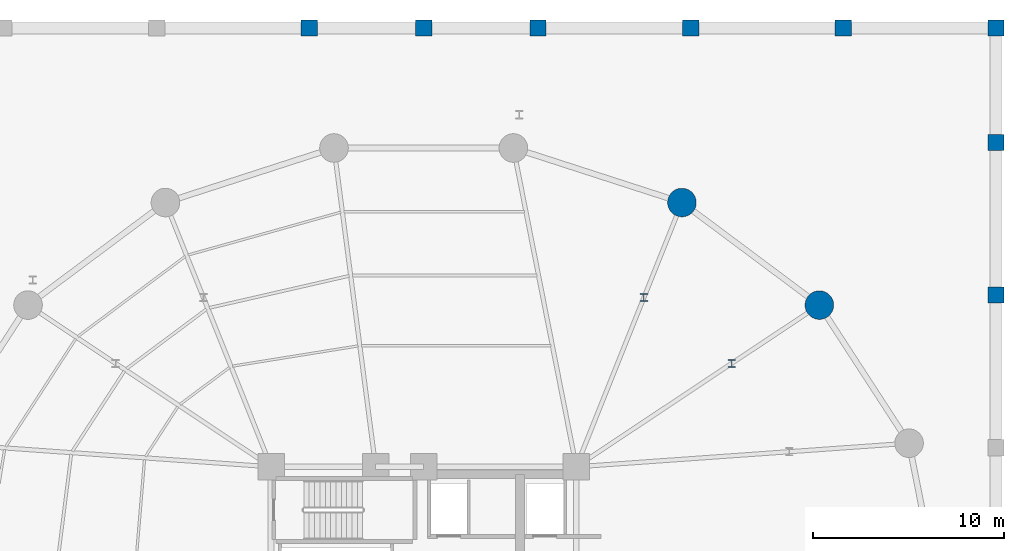
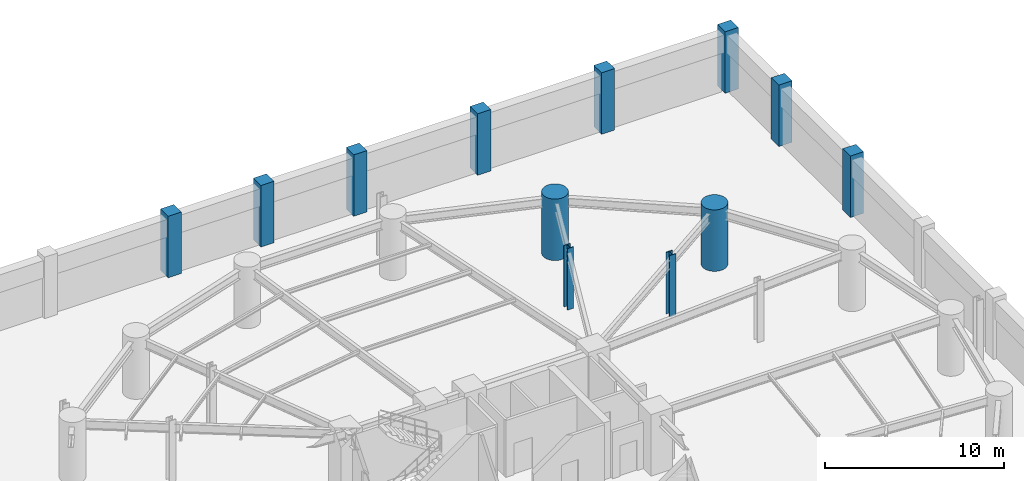
# One storey, part 4 of 20: 12 columns.
"""IFC4 building model written with IfcOpenShell, lengths in metres."""

from ifc_helpers import new_model, si_unit, direction, frame, origin, origin_2d, place, context, subcontext, project, spatial, rectangle, circle, i_section, extrude, material, material_profile, profile_set, type_object, element, save


model = new_model("IFC4")

# Units and contexts
model_context = context("Model", 3, precision=1e-05, world=origin(), true_north=direction((0.0, 1.0)))
body_context = subcontext(model_context, "Body", "Model", "MODEL_VIEW")
ifc_project = project(units=[si_unit("LENGTHUNIT", "METRE"), si_unit("AREAUNIT", "SQUARE_METRE"), si_unit("VOLUMEUNIT", "CUBIC_METRE"), si_unit("PLANEANGLEUNIT", "RADIAN"), si_unit("MASSUNIT", "GRAM", prefix="KILO")], contexts=[model_context])

# Site, building, storey
site_placement = place(None, origin())
site = spatial("IfcSite", under=ifc_project, at=site_placement, CompositionType="ELEMENT")
building_placement = place(site_placement, origin())
building = spatial("IfcBuilding", under=site, at=building_placement, Name="Kelanora Arch Commons", CompositionType="ELEMENT")
storey_placement = place(building_placement, frame((0.0, 0.0, -4.199951171875)))
storey = spatial("IfcBuildingStorey", under=building, at=storey_placement, Name="B01", CompositionType="ELEMENT", Elevation=-4.199951171875)

# Columns
ifc_material_1 = material(Name="Concrete C50/60", Category="concrete")
ifc_material_profile_1 = material_profile(ifc_material_1, rectangle(XDim=0.85009765625, YDim=0.85009765625, at=origin_2d()), Name="RC850x850")
ifc_profile_set_1 = profile_set([ifc_material_profile_1], Name="Concrete C50/60")
column_type_1 = type_object("IfcColumnType", Name="COL-BSMT", PredefinedType="COLUMN", material=ifc_profile_set_1)
for number, where, z_axis, x_axis, name in (
    (1, (68.0, 88.0, 0.0), (0.0, 0.0, 1.0), (1.0, 0.0, 0.0), "Basement Column 9-M B01"),
    (2, (74.0, 88.0, 0.0), (0.0, 0.0, 1.0), (1.0, 0.0, 0.0), "Basement Column 10-M B01"),
    (3, (80.0, 88.0, 0.0), (0.0, 0.0, 1.0), (1.0, 0.0, 0.0), "Basement Column 11-M B01"),
    (4, (88.0, 88.0, 0.0), (0.0, 0.0, 1.0), (1.0, 0.0, 0.0), "Basement Column 12-M B01"),
    (5, (96.0, 88.0, 0.0), (0.0, 0.0, 1.0), (1.0, 0.0, 0.0), "Basement Column 13-M B01"),
    (6, (104.0, 74.0, 0.0), (0.0, 0.0, 1.0), (1.0, 0.0, 0.0), "Basement Column 14-K B01"),
    (7, (104.0, 82.0, 0.0), (0.0, 0.0, 1.0), (1.0, 0.0, 0.0), "Basement Column 14-L B01"),
    (8, (104.0, 88.0, 0.0), (0.0, 0.0, 1.0), (1.0, 0.0, 0.0), "Basement Column 14-M B01"),
):
    element("IfcColumn", number, at=place(storey_placement, frame(where, z_axis=z_axis, x_axis=x_axis)), inside=storey, type_object=column_type_1, Name=name, PredefinedType="COLUMN", context=body_context, shape_type="SweptSolid", body=[
        extrude(rectangle(XDim=0.85009765625, YDim=0.85009765625, at=origin_2d()), origin(), (0.0, 0.0, 1.0), 4.199951171875),
    ])
ifc_material_2 = material(Name="Concrete C60/75", Category="concrete")
ifc_material_profile_2 = material_profile(ifc_material_2, circle(Radius=0.75, at=origin_2d()), Name="RCC1500")
ifc_profile_set_2 = profile_set([ifc_material_profile_2], Name="Concrete C60/75")
column_type_2 = type_object("IfcColumnType", Name="COL-PERIM-Z1", PredefinedType="COLUMN", material=ifc_profile_set_2)
for number, where, z_axis, x_axis, name in (
    (9, (94.744384765625, 73.478271484375, 0.0), (0.0, 0.0, 1.0), (1.0, 0.0, 0.0), "Perimeter Ring Column CP-04 B01"),
    (10, (87.5400390625, 78.85400390625, 0.0), (0.0, 0.0, 1.0), (1.0, 0.0, 0.0), "Perimeter Ring Column CP-06 B01"),
):
    element("IfcColumn", number, at=place(storey_placement, frame(where, z_axis=z_axis, x_axis=x_axis)), inside=storey, type_object=column_type_2, Name=name, PredefinedType="COLUMN", context=body_context, shape_type="SweptSolid", body=[
        extrude(circle(Radius=0.75, at=origin_2d()), origin(), (0.0, 0.0, 1.0), 4.199951171875),
    ])
ifc_material_3 = material(Name="Steel S355", Category="steel")
ifc_material_profile_3 = material_profile(ifc_material_3, i_section(OverallWidth=0.406005859375, OverallDepth=0.416015625, WebThickness=0.029052734375, FlangeThickness=0.048095703125, FilletRadius=0.014892578125, at=origin_2d()), Name="HD400x382")
ifc_profile_set_3 = profile_set([ifc_material_profile_3], Name="Steel S355")
column_type_3 = type_object("IfcColumnType", Name="COL-PORCH", PredefinedType="COLUMN", material=ifc_profile_set_3)
for number, where, z_axis, x_axis, name in (
    (11, (90.156494140625, 70.426025390625, 0.0), (0.0, 0.0, 1.0), (1.0, 0.0, 0.0), "Recessed Arch Portal Column CAP-04 B01"),
    (12, (85.545654296875, 73.866455078125, 0.0), (0.0, 0.0, 1.0), (1.0, 0.0, 0.0), "Recessed Arch Portal Column CAP-06 B01"),
):
    element("IfcColumn", number, at=place(storey_placement, frame(where, z_axis=z_axis, x_axis=x_axis)), inside=storey, type_object=column_type_3, Name=name, PredefinedType="COLUMN", context=body_context, shape_type="SweptSolid", body=[
        extrude(i_section(OverallWidth=0.406005859375, OverallDepth=0.416015625, WebThickness=0.029052734375, FlangeThickness=0.048095703125, FilletRadius=0.014892578125, at=origin_2d()), origin(), (0.0, 0.0, 1.0), 4.199951171875),
    ])

save(model, "model.ifc")
